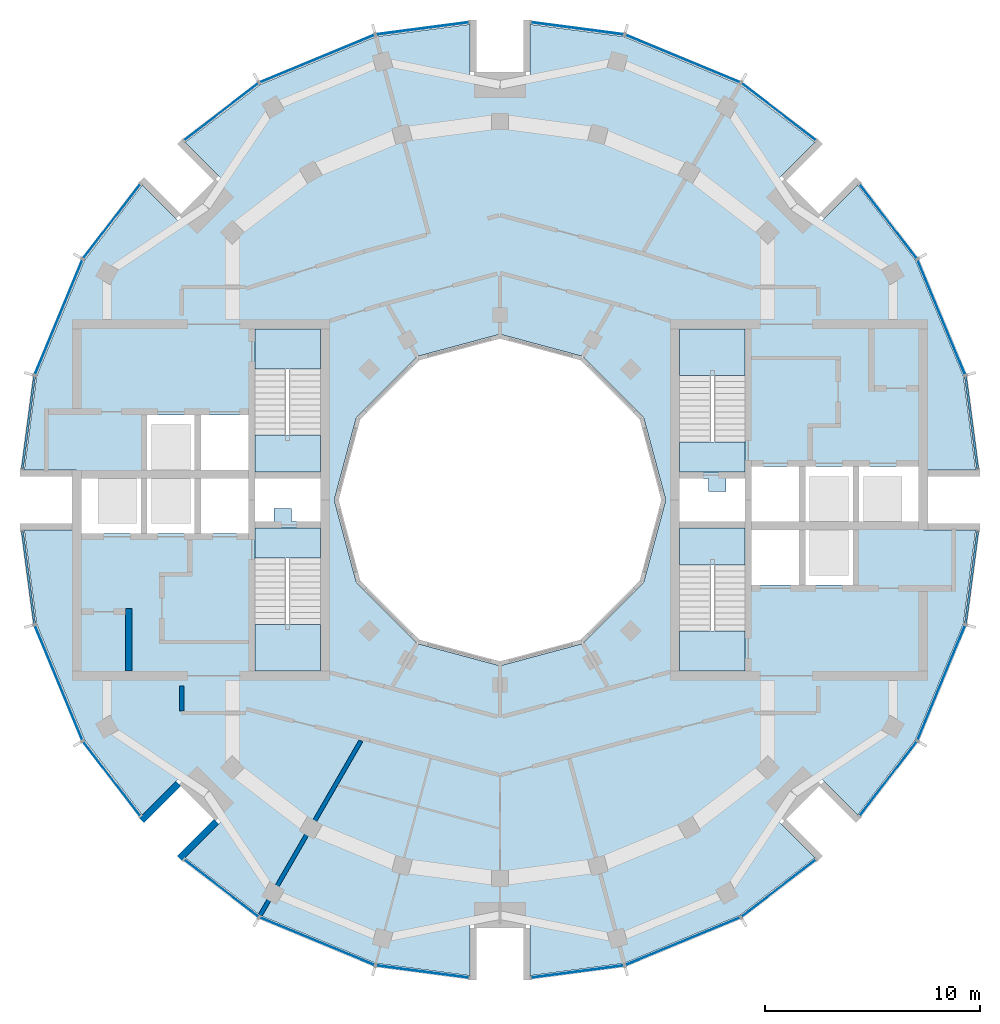
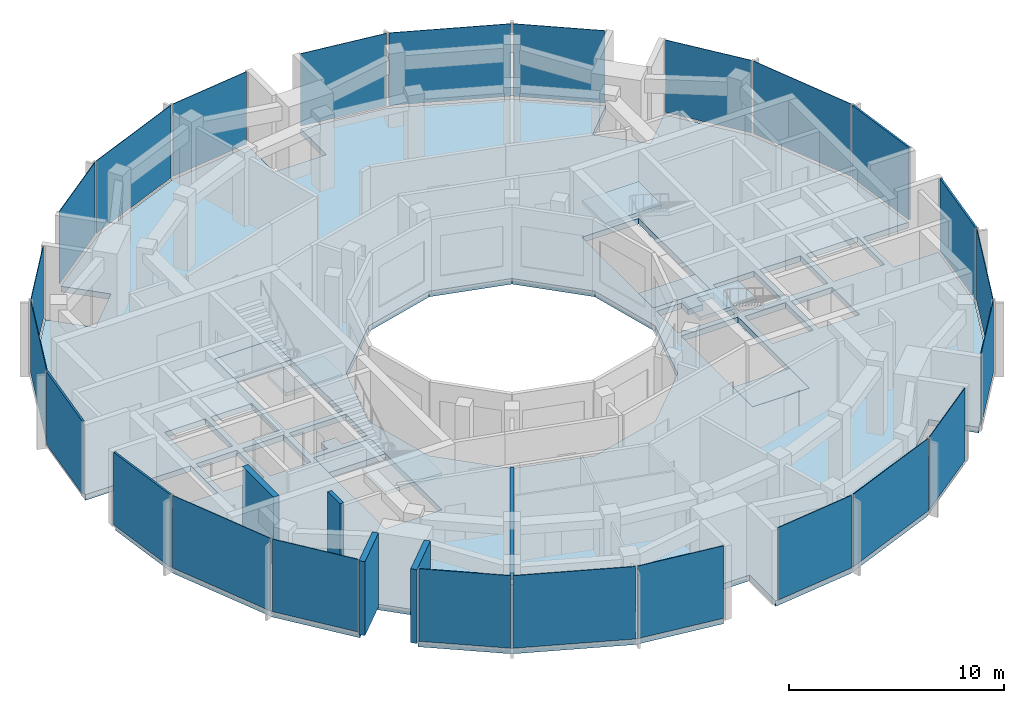
# One storey, part 7 of 13: 24 plates, 9 slabs, 5 walls, 28 elements without a shape of their own.
"""IFC4 building model written with IfcOpenShell, lengths in metres."""

import ifcopenshell
import ifcopenshell.guid

model = None  # the IFC model being written
_history = None  # IfcOwnerHistory: only IFC2X3 demands one
_inside = {}  # id of a spatial element -> (the spatial element, [elements in it])
_under = {}  # id of a project, library or spatial element -> (it, [spatial elements below it])
_declared = {}  # id of a project -> (the project, [libraries it declares])
_typed = {}  # id of a type object -> (the type object, [elements of that type])
_made_of = {}  # id of a material, layer set ... -> (it, [elements and type objects made of it])


def new_model(schema):
    """Start an empty IFC model of exactly this schema.

    Asked for "IFC4X3", IfcOpenShell would pick the latest addendum, in which some entities
    have other attributes; the version numbers below select the first issue.
    IFC2X3 requires an IfcOwnerHistory on every rooted entity: one is made here for all.
    """
    global model, _history
    if schema == "IFC4X3":
        model = ifcopenshell.file(schema_version=(4, 3, 0, 0))
    else:
        model = ifcopenshell.file(schema=schema)
    _inside.clear()
    _under.clear()
    _declared.clear()
    _typed.clear()
    _made_of.clear()
    _history = None
    if model.schema == "IFC2X3":
        org = make("IfcOrganization", Name="unknown")
        user = make(
            "IfcPersonAndOrganization",
            ThePerson=make("IfcPerson", FamilyName="unknown"),
            TheOrganization=org,
        )
        app = make(
            "IfcApplication",
            ApplicationDeveloper=org,
            Version="unknown",
            ApplicationFullName="unknown",
            ApplicationIdentifier="unknown",
        )
        _history = make(
            "IfcOwnerHistory",
            OwningUser=user,
            OwningApplication=app,
            ChangeAction="ADDED",
            CreationDate=0,
        )
    return model


def make(cls, **values):
    """One entity of the class cls with the attributes given. An attribute that is None is left unset."""
    return model.create_entity(
        cls, **{name: value for name, value in values.items() if value is not None}
    )


def rooted(cls, **values):
    """An entity with a GlobalId (a new one), such as an element, a storey or a relation."""
    return make(cls, GlobalId=ifcopenshell.guid.new(), OwnerHistory=_history, **values)


def si_unit(unit_type, name, prefix=None):
    """IfcSIUnit, for example si_unit("LENGTHUNIT", "METRE", prefix="MILLI")."""
    return make("IfcSIUnit", UnitType=unit_type, Prefix=prefix, Name=name)


def assignment(units):
    """IfcUnitAssignment: the units of a project."""
    return None if units is None else make("IfcUnitAssignment", Units=units)


def point(xyz):
    """IfcCartesianPoint."""
    return None if xyz is None else make("IfcCartesianPoint", Coordinates=xyz)


def direction(xyz):
    """IfcDirection."""
    return None if xyz is None else make("IfcDirection", DirectionRatios=xyz)


def frame(location, z_axis=None, x_axis=None):
    """IfcAxis2Placement3D, a coordinate frame: its origin and axes. An axis left out is left unset."""
    return make(
        "IfcAxis2Placement3D",
        Location=point(location),
        Axis=direction(z_axis),
        RefDirection=direction(x_axis),
    )


def frame_2d(location, x_axis=None):
    """IfcAxis2Placement2D, a coordinate frame in the plane: its origin and x axis."""
    return make(
        "IfcAxis2Placement2D", Location=point(location), RefDirection=direction(x_axis)
    )


def origin():
    """The frame at (0, 0, 0) with its axes left unset."""
    return frame((0.0, 0.0, 0.0))


def origin_2d():
    """The frame at (0, 0) in the plane with its x axis left unset."""
    return frame_2d((0.0, 0.0))


def place(relative_to, where):
    """IfcLocalPlacement: puts the frame where relative to a parent placement (None: the world)."""
    return make(
        "IfcLocalPlacement", PlacementRelTo=relative_to, RelativePlacement=where
    )


def context(
    kind, dimensions, precision=None, world=None, true_north=None, identifier=None
):
    """IfcGeometricRepresentationContext, for example the 3D "Model" context."""
    return make(
        "IfcGeometricRepresentationContext",
        ContextIdentifier=identifier,
        ContextType=kind,
        CoordinateSpaceDimension=dimensions,
        Precision=precision,
        WorldCoordinateSystem=world,
        TrueNorth=true_north,
    )


def subcontext(parent, identifier, kind, view, scale=None):
    """IfcGeometricRepresentationSubContext, for example "Body" below "Model"."""
    return make(
        "IfcGeometricRepresentationSubContext",
        ContextIdentifier=identifier,
        ContextType=kind,
        ParentContext=parent,
        TargetScale=scale,
        TargetView=view,
    )


def project(units=None, contexts=None):
    """IfcProject with its units and contexts."""
    return rooted(
        "IfcProject",
        Name="project",
        RepresentationContexts=contexts,
        UnitsInContext=assignment(units),
    )


def spatial(cls, under=None, at=None, **own):
    """A site, building, storey or space (cls), placed at a placement, below another one or the project."""
    s = rooted(cls, ObjectPlacement=at, **own)
    if under is not None:
        _under.setdefault(under.id(), (under, []))[1].append(s)
    return s


def polyline(points):
    """IfcPolyline through the points."""
    return make("IfcPolyline", Points=[point(p) for p in points])


def profile(cls, at=None, kind="AREA", **sizes):
    """A parametric profile (cls). Its sizes go by their IFC names, for example OverallWidth=200.0."""
    return make(cls, ProfileType=kind, Position=at, **sizes)


def rectangle(**sizes):
    """IfcRectangleProfileDef."""
    return profile("IfcRectangleProfileDef", **sizes)


def outline(outer, holes=None, kind="AREA"):
    """IfcArbitraryClosedProfileDef: a profile drawn as a closed curve; with holes, ...WithVoids."""
    if holes is None:
        return make("IfcArbitraryClosedProfileDef", ProfileType=kind, OuterCurve=outer)
    return make(
        "IfcArbitraryProfileDefWithVoids",
        ProfileType=kind,
        OuterCurve=outer,
        InnerCurves=holes,
    )


def extrude(swept, where, along, depth):
    """IfcExtrudedAreaSolid: the profile swept, set in the frame where, extruded along a direction by depth."""
    return make(
        "IfcExtrudedAreaSolid",
        SweptArea=swept,
        Position=where,
        ExtrudedDirection=direction(along),
        Depth=depth,
    )


def shape(context_of_items, identifier, shape_type, items):
    """IfcShapeRepresentation: the items that make up one representation, for example the "Body"."""
    return make(
        "IfcShapeRepresentation",
        ContextOfItems=context_of_items,
        RepresentationIdentifier=identifier,
        RepresentationType=shape_type,
        Items=items,
    )


def material(Name=None, Category=None):
    """IfcMaterial."""
    return make("IfcMaterial", Name=Name, Category=Category)


def layer(
    of_material, thickness, ventilated=None, Name=None, Category=None, Priority=None
):
    """IfcMaterialLayer: one layer of a wall or slab, of a material (None: an air gap)."""
    return make(
        "IfcMaterialLayer",
        Material=of_material,
        LayerThickness=thickness,
        IsVentilated=ventilated,
        Name=Name,
        Category=Category,
        Priority=Priority,
    )


def layer_set(layers, Name=None):
    """IfcMaterialLayerSet."""
    return make("IfcMaterialLayerSet", MaterialLayers=layers, LayerSetName=Name)


def made_of(thing, what):
    """Note that an element or type object is made of a material, layer set ...; save() writes the relation."""
    if what is not None:
        _made_of.setdefault(what.id(), (what, []))[1].append(thing)
    return thing


def type_object(cls, material=None, **own):
    """A type object (cls), such as IfcWallType, which elements share."""
    return made_of(rooted(cls, **own), material)


def element(
    cls,
    number,
    at=None,
    inside=None,
    cuts=None,
    type_object=None,
    material=None,
    context=None,
    identifier="Body",
    shape_type=None,
    held_by="IfcProductDefinitionShape",
    body=None,
    shapes=None,
    **own,
):
    """One element of the class cls, such as IfcWall. Its Tag is "e" and its number.

    at: its placement. inside: the storey or other place that contains it. cuts: it is an
    opening in that element (IfcRelVoidsElement). A single representation is given by context,
    identifier, shape_type and body (its items); several are given by shapes. held_by: the class
    of the entity that holds the representations. save() writes the other relations.
    """
    e = rooted(cls, Tag="e%d" % number, ObjectPlacement=at, **own)
    if body is not None:
        shapes = [shape(context, identifier, shape_type, body)]
    if shapes is not None:
        e.Representation = make(held_by, Representations=shapes)
    if inside is not None:
        _inside.setdefault(inside.id(), (inside, []))[1].append(e)
    if cuts is not None:
        rooted(
            "IfcRelVoidsElement", RelatingBuildingElement=cuts, RelatedOpeningElement=e
        )
    if type_object is not None:
        _typed.setdefault(type_object.id(), (type_object, []))[1].append(e)
    return made_of(e, material)


def aggregate(whole, parts):
    """IfcRelAggregates: a whole, such as a stair, and the parts it consists of."""
    return rooted("IfcRelAggregates", RelatingObject=whole, RelatedObjects=parts)


def save(model, path):
    """Write the relations noted so far, then the file.

    IfcRelAggregates (storeys below a building ...), IfcRelContainedInSpatialStructure (elements
    in a storey), IfcRelDefinesByType, IfcRelAssociatesMaterial and IfcRelDeclares: one each for
    every whole, place, type object, material and project.
    """
    for whole, parts in _under.values():
        aggregate(whole, parts)
    for where, things in _inside.values():
        rooted(
            "IfcRelContainedInSpatialStructure",
            RelatedElements=things,
            RelatingStructure=where,
        )
    for kind, things in _typed.values():
        rooted("IfcRelDefinesByType", RelatedObjects=things, RelatingType=kind)
    for what, things in _made_of.values():
        rooted("IfcRelAssociatesMaterial", RelatedObjects=things, RelatingMaterial=what)
    for by, libraries in _declared.values():
        rooted("IfcRelDeclares", RelatingContext=by, RelatedDefinitions=libraries)
    model.write(path)


model = new_model("IFC4")

# Units and contexts
model_context = context("Model", 3, precision=1e-05, world=origin(), true_north=direction((0.0, 1.0)))
body_context = subcontext(model_context, "Body", "Model", "MODEL_VIEW")
ifc_project = project(units=[si_unit("LENGTHUNIT", "METRE"), si_unit("AREAUNIT", "SQUARE_METRE"), si_unit("VOLUMEUNIT", "CUBIC_METRE"), si_unit("PLANEANGLEUNIT", "RADIAN"), si_unit("MASSUNIT", "GRAM", prefix="KILO")], contexts=[model_context])

# Site, building, storey
site_placement = place(None, origin())
site = spatial("IfcSite", under=ifc_project, at=site_placement, CompositionType="ELEMENT")
building_placement = place(site_placement, origin())
building = spatial("IfcBuilding", under=site, at=building_placement, Name="Torre Brocal", CompositionType="ELEMENT")
storey_placement = place(building_placement, frame((0.0, 0.0, 300.89990234375)))
storey = spatial("IfcBuildingStorey", under=building, at=storey_placement, Name="L69", CompositionType="ELEMENT", Elevation=300.89990234375)

# Curtain wall, plate
ifc_material_1 = material(Name="Aluminium and glass", Category="aluminium")
ifc_layer_1 = layer(ifc_material_1, 0.199951171875)
ifc_layer_set_1 = layer_set([ifc_layer_1], Name="Aluminium and glass")
curtain_wall_type_1 = type_object("IfcCurtainWallType", Name="CW-1 CURTAIN WALL 4200 HIGH", PredefinedType="NOTDEFINED", material=ifc_layer_set_1)
curtain_wall_1_placement = place(storey_placement, origin())
curtain_wall_1 = element("IfcCurtainWall", 1, at=curtain_wall_1_placement, inside=storey, type_object=curtain_wall_type_1, Name="CW-1 RUN 2", PredefinedType="NOTDEFINED")
ifc_material_2 = material(Name="Glass, dark tinted laminated", Category="glass")
ifc_layer_2 = layer(ifc_material_2, 0.031982421875)
ifc_layer_set_2 = layer_set([ifc_layer_2], Name="Glass, dark tinted laminated")
plate_type_1 = type_object("IfcPlateType", Name="CW-1 GLASS PANEL 32", PredefinedType="CURTAIN_PANEL", material=ifc_layer_set_2)
plate_1_placement = place(storey_placement, frame((100.51708984375, 83.49853515625, 0.080078125), z_axis=(0.0, 0.0, 1.0), x_axis=(-0.382683432284, 0.923879532545, 0.0)))
plate_1 = element("IfcPlate", 2, at=plate_1_placement, type_object=plate_type_1, Name="CW1-5 panel 1.1", PredefinedType="CURTAIN_PANEL", context=body_context, shape_type="SweptSolid", body=[
    extrude(rectangle(XDim=5.727294921875, YDim=0.031982421875, at=origin_2d()), origin(), (0.0, 0.0, 1.0), 4.1201171875),
])
aggregate(curtain_wall_1, [plate_1])

curtain_wall_2_placement = place(storey_placement, origin())
curtain_wall_2 = element("IfcCurtainWall", 3, at=curtain_wall_2_placement, inside=storey, type_object=curtain_wall_type_1, Name="CW-1 RUN 3", PredefinedType="NOTDEFINED")
plate_2_placement = place(storey_placement, frame((98.048095703125, 87.958984375, 0.080078125), z_axis=(0.0, 0.0, 1.0), x_axis=(-0.608761429064, 0.793353340249, 0.0)))
plate_2 = element("IfcPlate", 4, at=plate_2_placement, type_object=plate_type_1, Name="CW1-5 panel 1.1", PredefinedType="CURTAIN_PANEL", context=body_context, shape_type="SweptSolid", body=[
    extrude(rectangle(XDim=4.315185546875, YDim=0.031982421875, at=origin_2d()), origin(), (0.0, 0.0, 1.0), 4.1201171875),
])
aggregate(curtain_wall_2, [plate_2])

curtain_wall_3_placement = place(storey_placement, origin())
curtain_wall_3 = element("IfcCurtainWall", 5, at=curtain_wall_3_placement, inside=storey, type_object=curtain_wall_type_1, Name="CW-1 RUN 4", PredefinedType="NOTDEFINED")
plate_3_placement = place(storey_placement, frame((92.958984375, 93.048095703125, 0.080078125), z_axis=(0.0, 0.0, 1.0), x_axis=(-0.793353340249, 0.608761429064, 0.0)))
plate_3 = element("IfcPlate", 6, at=plate_3_placement, type_object=plate_type_1, Name="CW1-5 panel 1.1", PredefinedType="CURTAIN_PANEL", context=body_context, shape_type="SweptSolid", body=[
    extrude(rectangle(XDim=4.315185546875, YDim=0.031982421875, at=origin_2d()), origin(), (0.0, 0.0, 1.0), 4.1201171875),
])
aggregate(curtain_wall_3, [plate_3])

curtain_wall_4_placement = place(storey_placement, origin())
curtain_wall_4 = element("IfcCurtainWall", 7, at=curtain_wall_4_placement, inside=storey, type_object=curtain_wall_type_1, Name="CW-1 RUN 5", PredefinedType="NOTDEFINED")
plate_4_placement = place(storey_placement, frame((88.49853515625, 95.51708984375, 0.080078125), z_axis=(0.0, 0.0, 1.0), x_axis=(-0.923879532545, 0.382683432284, 0.0)))
plate_4 = element("IfcPlate", 8, at=plate_4_placement, type_object=plate_type_1, Name="CW1-5 panel 1.1", PredefinedType="CURTAIN_PANEL", context=body_context, shape_type="SweptSolid", body=[
    extrude(rectangle(XDim=5.727294921875, YDim=0.031982421875, at=origin_2d()), origin(), (0.0, 0.0, 1.0), 4.1201171875),
])
aggregate(curtain_wall_4, [plate_4])

curtain_wall_5_placement = place(storey_placement, origin())
curtain_wall_5 = element("IfcCurtainWall", 9, at=curtain_wall_5_placement, inside=storey, type_object=curtain_wall_type_1, Name="CW-1 RUN 6", PredefinedType="NOTDEFINED")
plate_5_placement = place(storey_placement, frame((83.5986328125, 96.92529296875, 0.080078125), z_axis=(0.0, 0.0, 1.0), x_axis=(-0.991444861374, 0.13052619222, 0.0)))
plate_5 = element("IfcPlate", 10, at=plate_5_placement, type_object=plate_type_1, Name="CW1-5 panel 1.1", PredefinedType="CURTAIN_PANEL", context=body_context, shape_type="SweptSolid", body=[
    extrude(rectangle(XDim=4.315185546875, YDim=0.031982421875, at=origin_2d()), origin(), (0.0, 0.0, 1.0), 4.1201171875),
])
aggregate(curtain_wall_5, [plate_5])

curtain_wall_6_placement = place(storey_placement, origin())
curtain_wall_6 = element("IfcCurtainWall", 11, at=curtain_wall_6_placement, inside=storey, type_object=curtain_wall_type_1, Name="CW-1 RUN 7", PredefinedType="NOTDEFINED")
plate_6_placement = place(storey_placement, frame((76.4013671875, 96.92529296875, 0.080078125), z_axis=(0.0, 0.0, 1.0), x_axis=(-0.991444861374, -0.13052619222, 0.0)))
plate_6 = element("IfcPlate", 12, at=plate_6_placement, type_object=plate_type_1, Name="CW1-5 panel 1.1", PredefinedType="CURTAIN_PANEL", context=body_context, shape_type="SweptSolid", body=[
    extrude(rectangle(XDim=4.315185546875, YDim=0.031982421875, at=origin_2d()), origin(), (0.0, 0.0, 1.0), 4.1201171875),
])
aggregate(curtain_wall_6, [plate_6])

curtain_wall_7_placement = place(storey_placement, origin())
curtain_wall_7 = element("IfcCurtainWall", 13, at=curtain_wall_7_placement, inside=storey, type_object=curtain_wall_type_1, Name="CW-1 RUN 8", PredefinedType="NOTDEFINED")
plate_7_placement = place(storey_placement, frame((71.50146484375, 95.51708984375, 0.080078125), z_axis=(0.0, 0.0, 1.0), x_axis=(-0.923879532545, -0.382683432284, 0.0)))
plate_7 = element("IfcPlate", 14, at=plate_7_placement, type_object=plate_type_1, Name="CW1-5 panel 1.1", PredefinedType="CURTAIN_PANEL", context=body_context, shape_type="SweptSolid", body=[
    extrude(rectangle(XDim=5.727294921875, YDim=0.031982421875, at=origin_2d()), origin(), (0.0, 0.0, 1.0), 4.1201171875),
])
aggregate(curtain_wall_7, [plate_7])

curtain_wall_8_placement = place(storey_placement, origin())
curtain_wall_8 = element("IfcCurtainWall", 15, at=curtain_wall_8_placement, inside=storey, type_object=curtain_wall_type_1, Name="CW-1 RUN 9", PredefinedType="NOTDEFINED")
plate_8_placement = place(storey_placement, frame((67.041015625, 93.048095703125, 0.080078125), z_axis=(0.0, 0.0, 1.0), x_axis=(-0.793353340249, -0.608761429064, 0.0)))
plate_8 = element("IfcPlate", 16, at=plate_8_placement, type_object=plate_type_1, Name="CW1-5 panel 1.1", PredefinedType="CURTAIN_PANEL", context=body_context, shape_type="SweptSolid", body=[
    extrude(rectangle(XDim=4.315185546875, YDim=0.031982421875, at=origin_2d()), origin(), (0.0, 0.0, 1.0), 4.1201171875),
])
aggregate(curtain_wall_8, [plate_8])

curtain_wall_9_placement = place(storey_placement, origin())
curtain_wall_9 = element("IfcCurtainWall", 17, at=curtain_wall_9_placement, inside=storey, type_object=curtain_wall_type_1, Name="CW-1 RUN 10", PredefinedType="NOTDEFINED")
plate_9_placement = place(storey_placement, frame((61.951904296875, 87.958984375, 0.080078125), z_axis=(0.0, 0.0, 1.0), x_axis=(-0.608761429064, -0.793353340249, 0.0)))
plate_9 = element("IfcPlate", 18, at=plate_9_placement, type_object=plate_type_1, Name="CW1-5 panel 1.1", PredefinedType="CURTAIN_PANEL", context=body_context, shape_type="SweptSolid", body=[
    extrude(rectangle(XDim=4.315185546875, YDim=0.031982421875, at=origin_2d()), origin(), (0.0, 0.0, 1.0), 4.1201171875),
])
aggregate(curtain_wall_9, [plate_9])

curtain_wall_10_placement = place(storey_placement, origin())
curtain_wall_10 = element("IfcCurtainWall", 19, at=curtain_wall_10_placement, inside=storey, type_object=curtain_wall_type_1, Name="CW-1 RUN 11", PredefinedType="NOTDEFINED")
plate_10_placement = place(storey_placement, frame((59.48291015625, 83.49853515625, 0.080078125), z_axis=(0.0, 0.0, 1.0), x_axis=(-0.382683432284, -0.923879532545, 0.0)))
plate_10 = element("IfcPlate", 20, at=plate_10_placement, type_object=plate_type_1, Name="CW1-5 panel 1.1", PredefinedType="CURTAIN_PANEL", context=body_context, shape_type="SweptSolid", body=[
    extrude(rectangle(XDim=5.727294921875, YDim=0.031982421875, at=origin_2d()), origin(), (0.0, 0.0, 1.0), 4.1201171875),
])
aggregate(curtain_wall_10, [plate_10])

curtain_wall_11_placement = place(storey_placement, origin())
curtain_wall_11 = element("IfcCurtainWall", 21, at=curtain_wall_11_placement, inside=storey, type_object=curtain_wall_type_1, Name="CW-1 RUN 14", PredefinedType="NOTDEFINED")
plate_11_placement = place(storey_placement, frame((59.48291015625, 66.50146484375, 0.080078125), z_axis=(0.0, 0.0, 1.0), x_axis=(0.382683432284, -0.923879532545, 0.0)))
plate_11 = element("IfcPlate", 22, at=plate_11_placement, type_object=plate_type_1, Name="CW1-5 panel 1.1", PredefinedType="CURTAIN_PANEL", context=body_context, shape_type="SweptSolid", body=[
    extrude(rectangle(XDim=5.727294921875, YDim=0.031982421875, at=origin_2d()), origin(), (0.0, 0.0, 1.0), 4.1201171875),
])
aggregate(curtain_wall_11, [plate_11])

curtain_wall_12_placement = place(storey_placement, origin())
curtain_wall_12 = element("IfcCurtainWall", 23, at=curtain_wall_12_placement, inside=storey, type_object=curtain_wall_type_1, Name="CW-1 RUN 15", PredefinedType="NOTDEFINED")
plate_12_placement = place(storey_placement, frame((61.951904296875, 62.041015625, 0.080078125), z_axis=(0.0, 0.0, 1.0), x_axis=(0.608761429064, -0.793353340249, 0.0)))
plate_12 = element("IfcPlate", 24, at=plate_12_placement, type_object=plate_type_1, Name="CW1-5 panel 1.1", PredefinedType="CURTAIN_PANEL", context=body_context, shape_type="SweptSolid", body=[
    extrude(rectangle(XDim=4.315185546875, YDim=0.031982421875, at=origin_2d()), origin(), (0.0, 0.0, 1.0), 4.1201171875),
])
aggregate(curtain_wall_12, [plate_12])

curtain_wall_13_placement = place(storey_placement, origin())
curtain_wall_13 = element("IfcCurtainWall", 25, at=curtain_wall_13_placement, inside=storey, type_object=curtain_wall_type_1, Name="CW-1 RUN 16", PredefinedType="NOTDEFINED")
plate_13_placement = place(storey_placement, frame((67.041015625, 56.951904296875, 0.080078125), z_axis=(0.0, 0.0, 1.0), x_axis=(0.793353340249, -0.608761429064, 0.0)))
plate_13 = element("IfcPlate", 26, at=plate_13_placement, type_object=plate_type_1, Name="CW1-5 panel 1.1", PredefinedType="CURTAIN_PANEL", context=body_context, shape_type="SweptSolid", body=[
    extrude(rectangle(XDim=4.315185546875, YDim=0.031982421875, at=origin_2d()), origin(), (0.0, 0.0, 1.0), 4.1201171875),
])
aggregate(curtain_wall_13, [plate_13])

curtain_wall_14_placement = place(storey_placement, origin())
curtain_wall_14 = element("IfcCurtainWall", 27, at=curtain_wall_14_placement, inside=storey, type_object=curtain_wall_type_1, Name="CW-1 RUN 17", PredefinedType="NOTDEFINED")
plate_14_placement = place(storey_placement, frame((71.50146484375, 54.48291015625, 0.080078125), z_axis=(0.0, 0.0, 1.0), x_axis=(0.923879532545, -0.382683432284, 0.0)))
plate_14 = element("IfcPlate", 28, at=plate_14_placement, type_object=plate_type_1, Name="CW1-5 panel 1.1", PredefinedType="CURTAIN_PANEL", context=body_context, shape_type="SweptSolid", body=[
    extrude(rectangle(XDim=5.727294921875, YDim=0.031982421875, at=origin_2d()), origin(), (0.0, 0.0, 1.0), 4.1201171875),
])
aggregate(curtain_wall_14, [plate_14])

curtain_wall_15_placement = place(storey_placement, origin())
curtain_wall_15 = element("IfcCurtainWall", 29, at=curtain_wall_15_placement, inside=storey, type_object=curtain_wall_type_1, Name="CW-1 RUN 18", PredefinedType="NOTDEFINED")
plate_15_placement = place(storey_placement, frame((76.4013671875, 53.07470703125, 0.080078125), z_axis=(0.0, 0.0, 1.0), x_axis=(0.991444861374, -0.13052619222, 0.0)))
plate_15 = element("IfcPlate", 30, at=plate_15_placement, type_object=plate_type_1, Name="CW1-5 panel 1.1", PredefinedType="CURTAIN_PANEL", context=body_context, shape_type="SweptSolid", body=[
    extrude(rectangle(XDim=4.315185546875, YDim=0.031982421875, at=origin_2d()), origin(), (0.0, 0.0, 1.0), 4.1201171875),
])
aggregate(curtain_wall_15, [plate_15])

curtain_wall_16_placement = place(storey_placement, origin())
curtain_wall_16 = element("IfcCurtainWall", 31, at=curtain_wall_16_placement, inside=storey, type_object=curtain_wall_type_1, Name="CW-1 RUN 19", PredefinedType="NOTDEFINED")
plate_16_placement = place(storey_placement, frame((83.5986328125, 53.07470703125, 0.080078125), z_axis=(0.0, 0.0, 1.0), x_axis=(0.991444861374, 0.13052619222, 0.0)))
plate_16 = element("IfcPlate", 32, at=plate_16_placement, type_object=plate_type_1, Name="CW1-5 panel 1.1", PredefinedType="CURTAIN_PANEL", context=body_context, shape_type="SweptSolid", body=[
    extrude(rectangle(XDim=4.315185546875, YDim=0.031982421875, at=origin_2d()), origin(), (0.0, 0.0, 1.0), 4.1201171875),
])
aggregate(curtain_wall_16, [plate_16])

curtain_wall_17_placement = place(storey_placement, origin())
curtain_wall_17 = element("IfcCurtainWall", 33, at=curtain_wall_17_placement, inside=storey, type_object=curtain_wall_type_1, Name="CW-1 RUN 20", PredefinedType="NOTDEFINED")
plate_17_placement = place(storey_placement, frame((88.49853515625, 54.48291015625, 0.080078125), z_axis=(0.0, 0.0, 1.0), x_axis=(0.923879532545, 0.382683432284, 0.0)))
plate_17 = element("IfcPlate", 34, at=plate_17_placement, type_object=plate_type_1, Name="CW1-5 panel 1.1", PredefinedType="CURTAIN_PANEL", context=body_context, shape_type="SweptSolid", body=[
    extrude(rectangle(XDim=5.727294921875, YDim=0.031982421875, at=origin_2d()), origin(), (0.0, 0.0, 1.0), 4.1201171875),
])
aggregate(curtain_wall_17, [plate_17])

curtain_wall_18_placement = place(storey_placement, origin())
curtain_wall_18 = element("IfcCurtainWall", 35, at=curtain_wall_18_placement, inside=storey, type_object=curtain_wall_type_1, Name="CW-1 RUN 21", PredefinedType="NOTDEFINED")
plate_18_placement = place(storey_placement, frame((92.958984375, 56.951904296875, 0.080078125), z_axis=(0.0, 0.0, 1.0), x_axis=(0.793353340249, 0.608761429064, 0.0)))
plate_18 = element("IfcPlate", 36, at=plate_18_placement, type_object=plate_type_1, Name="CW1-5 panel 1.1", PredefinedType="CURTAIN_PANEL", context=body_context, shape_type="SweptSolid", body=[
    extrude(rectangle(XDim=4.315185546875, YDim=0.031982421875, at=origin_2d()), origin(), (0.0, 0.0, 1.0), 4.1201171875),
])
aggregate(curtain_wall_18, [plate_18])

curtain_wall_19_placement = place(storey_placement, origin())
curtain_wall_19 = element("IfcCurtainWall", 37, at=curtain_wall_19_placement, inside=storey, type_object=curtain_wall_type_1, Name="CW-1 RUN 22", PredefinedType="NOTDEFINED")
plate_19_placement = place(storey_placement, frame((98.048095703125, 62.041015625, 0.080078125), z_axis=(0.0, 0.0, 1.0), x_axis=(0.608761429064, 0.793353340249, 0.0)))
plate_19 = element("IfcPlate", 38, at=plate_19_placement, type_object=plate_type_1, Name="CW1-5 panel 1.1", PredefinedType="CURTAIN_PANEL", context=body_context, shape_type="SweptSolid", body=[
    extrude(rectangle(XDim=4.315185546875, YDim=0.031982421875, at=origin_2d()), origin(), (0.0, 0.0, 1.0), 4.1201171875),
])
aggregate(curtain_wall_19, [plate_19])

curtain_wall_20_placement = place(storey_placement, origin())
curtain_wall_20 = element("IfcCurtainWall", 39, at=curtain_wall_20_placement, inside=storey, type_object=curtain_wall_type_1, Name="CW-1 RUN 23", PredefinedType="NOTDEFINED")
plate_20_placement = place(storey_placement, frame((100.51708984375, 66.50146484375, 0.080078125), z_axis=(0.0, 0.0, 1.0), x_axis=(0.382683432284, 0.923879532545, 0.0)))
plate_20 = element("IfcPlate", 40, at=plate_20_placement, type_object=plate_type_1, Name="CW1-5 panel 1.1", PredefinedType="CURTAIN_PANEL", context=body_context, shape_type="SweptSolid", body=[
    extrude(rectangle(XDim=5.727294921875, YDim=0.031982421875, at=origin_2d()), origin(), (0.0, 0.0, 1.0), 4.1201171875),
])
aggregate(curtain_wall_20, [plate_20])

ifc_material_3 = material(Name="Aluminium and glass", Category="aluminium")
ifc_layer_3 = layer(ifc_material_3, 0.199951171875)
ifc_layer_set_3 = layer_set([ifc_layer_3], Name="Aluminium and glass")
curtain_wall_type_2 = type_object("IfcCurtainWallType", Name="CW-1B CURTAIN WALL 4200 HIGH", PredefinedType="NOTDEFINED", material=ifc_layer_set_3)
curtain_wall_21_placement = place(storey_placement, origin())
curtain_wall_21 = element("IfcCurtainWall", 41, at=curtain_wall_21_placement, inside=storey, type_object=curtain_wall_type_2, Name="CW-1B RUN 1", PredefinedType="NOTDEFINED")
ifc_material_4 = material(Name="Aluminium composite panel", Category="aluminium")
ifc_layer_4 = layer(ifc_material_4, 0.10009765625)
ifc_layer_set_4 = layer_set([ifc_layer_4], Name="Aluminium composite panel")
plate_type_2 = type_object("IfcPlateType", Name="CW-1B OPAQUE PANEL 100", PredefinedType="CURTAIN_PANEL", material=ifc_layer_set_4)
plate_21_placement = place(storey_placement, frame((101.92529296875, 78.5986328125, 0.080078125), z_axis=(0.0, 0.0, 1.0), x_axis=(-0.13052619222, 0.991444861374, 0.0)))
plate_21 = element("IfcPlate", 42, at=plate_21_placement, type_object=plate_type_2, Name="CW1B-5 panel 1.1", PredefinedType="CURTAIN_PANEL", context=body_context, shape_type="SweptSolid", body=[
    extrude(rectangle(XDim=4.315185546875, YDim=0.10009765625, at=origin_2d()), origin(), (0.0, 0.0, 1.0), 4.1201171875),
])
aggregate(curtain_wall_21, [plate_21])

curtain_wall_22_placement = place(storey_placement, origin())
curtain_wall_22 = element("IfcCurtainWall", 43, at=curtain_wall_22_placement, inside=storey, type_object=curtain_wall_type_2, Name="CW-1B RUN 12", PredefinedType="NOTDEFINED")
plate_22_placement = place(storey_placement, frame((58.07470703125, 78.5986328125, 0.080078125), z_axis=(0.0, 0.0, 1.0), x_axis=(-0.13052619222, -0.991444861374, 0.0)))
plate_22 = element("IfcPlate", 44, at=plate_22_placement, type_object=plate_type_2, Name="CW1B-5 panel 1.1", PredefinedType="CURTAIN_PANEL", context=body_context, shape_type="SweptSolid", body=[
    extrude(rectangle(XDim=4.315185546875, YDim=0.10009765625, at=origin_2d()), origin(), (0.0, 0.0, 1.0), 4.1201171875),
])
aggregate(curtain_wall_22, [plate_22])

curtain_wall_23_placement = place(storey_placement, origin())
curtain_wall_23 = element("IfcCurtainWall", 45, at=curtain_wall_23_placement, inside=storey, type_object=curtain_wall_type_2, Name="CW-1B RUN 13", PredefinedType="NOTDEFINED")
plate_23_placement = place(storey_placement, frame((58.07470703125, 71.4013671875, 0.080078125), z_axis=(0.0, 0.0, 1.0), x_axis=(0.13052619222, -0.991444861374, 0.0)))
plate_23 = element("IfcPlate", 46, at=plate_23_placement, type_object=plate_type_2, Name="CW1B-5 panel 1.1", PredefinedType="CURTAIN_PANEL", context=body_context, shape_type="SweptSolid", body=[
    extrude(rectangle(XDim=4.315185546875, YDim=0.10009765625, at=origin_2d()), origin(), (0.0, 0.0, 1.0), 4.1201171875),
])
aggregate(curtain_wall_23, [plate_23])

curtain_wall_24_placement = place(storey_placement, origin())
curtain_wall_24 = element("IfcCurtainWall", 47, at=curtain_wall_24_placement, inside=storey, type_object=curtain_wall_type_2, Name="CW-1B RUN 24", PredefinedType="NOTDEFINED")
plate_24_placement = place(storey_placement, frame((101.92529296875, 71.4013671875, 0.080078125), z_axis=(0.0, 0.0, 1.0), x_axis=(0.13052619222, 0.991444861374, 0.0)))
plate_24 = element("IfcPlate", 48, at=plate_24_placement, type_object=plate_type_2, Name="CW1B-5 panel 1.1", PredefinedType="CURTAIN_PANEL", context=body_context, shape_type="SweptSolid", body=[
    extrude(rectangle(XDim=4.315185546875, YDim=0.10009765625, at=origin_2d()), origin(), (0.0, 0.0, 1.0), 4.1201171875),
])
aggregate(curtain_wall_24, [plate_24])

# Stair, slab
ifc_material_5 = material(Name="Concrete C50", Category="concrete")
stair_type = type_object("IfcStairType", Name="EXIT STAIR", PredefinedType="HALF_TURN_STAIR", material=ifc_material_5)
stair_1_placement = place(storey_placement, origin())
stair_1 = element("IfcStair", 49, at=stair_1_placement, inside=storey, type_object=stair_type, Name="EXIT STAIR ST1", PredefinedType="HALF_TURN_STAIR")
ifc_material_6 = material(Name="Concrete C50", Category="concrete")
ifc_layer_5 = layer(ifc_material_6, 0.320068359375)
ifc_layer_set_5 = layer_set([ifc_layer_5], Name="Concrete C50")
slab_type_1 = type_object("IfcSlabType", Name="FLOOR LANDING 320", PredefinedType="LANDING", material=ifc_layer_set_5)
slab_1_placement = place(storey_placement, frame((0.0, 0.0, -0.31982421875)))
slab_1 = element("IfcSlab", 50, at=slab_1_placement, type_object=slab_type_1, Name="ST1 landing 1", PredefinedType="LANDING", context=body_context, shape_type="SweptSolid", body=[
    extrude(outline(polyline([(88.35009765625, 76.300048828125), (91.39990234375, 76.300048828125), (91.39990234375, 77.699951171875), (88.35009765625, 77.699951171875), (88.35009765625, 76.300048828125)])), origin(), (0.0, 0.0, 1.0), 0.31982421875),
])

stair_2_placement = place(storey_placement, origin())
stair_2 = element("IfcStair", 51, at=stair_2_placement, inside=storey, type_object=stair_type, Name="EXIT STAIR ST2", PredefinedType="HALF_TURN_STAIR")
slab_2_placement = place(storey_placement, frame((0.0, 0.0, -0.31982421875)))
slab_2 = element("IfcSlab", 52, at=slab_2_placement, type_object=slab_type_1, Name="ST2 landing 1", PredefinedType="LANDING", context=body_context, shape_type="SweptSolid", body=[
    extrude(outline(polyline([(88.35009765625, 67.050048828125), (91.39990234375, 67.050048828125), (91.39990234375, 68.89990234375), (88.35009765625, 68.89990234375), (88.35009765625, 67.050048828125)])), origin(), (0.0, 0.0, 1.0), 0.31982421875),
])

stair_3_placement = place(storey_placement, origin())
stair_3 = element("IfcStair", 53, at=stair_3_placement, inside=storey, type_object=stair_type, Name="EXIT STAIR ST3", PredefinedType="HALF_TURN_STAIR")
slab_3_placement = place(storey_placement, frame((0.0, 0.0, -0.31982421875)))
slab_3 = element("IfcSlab", 54, at=slab_3_placement, type_object=slab_type_1, Name="ST3 landing 1", PredefinedType="LANDING", context=body_context, shape_type="SweptSolid", body=[
    extrude(outline(polyline([(71.64990234375, 73.699951171875), (68.60009765625, 73.699951171875), (68.60009765625, 72.300048828125), (71.64990234375, 72.300048828125), (71.64990234375, 73.699951171875)])), origin(), (0.0, 0.0, 1.0), 0.31982421875),
])

stair_4_placement = place(storey_placement, origin())
stair_4 = element("IfcStair", 55, at=stair_4_placement, inside=storey, type_object=stair_type, Name="EXIT STAIR ST4", PredefinedType="HALF_TURN_STAIR")
slab_4_placement = place(storey_placement, frame((0.0, 0.0, -0.31982421875)))
slab_4 = element("IfcSlab", 56, at=slab_4_placement, type_object=slab_type_1, Name="ST4 landing 1", PredefinedType="LANDING", context=body_context, shape_type="SweptSolid", body=[
    extrude(outline(polyline([(71.64990234375, 82.949951171875), (68.60009765625, 82.949951171875), (68.60009765625, 81.10009765625), (71.64990234375, 81.10009765625), (71.64990234375, 82.949951171875)])), origin(), (0.0, 0.0, 1.0), 0.31982421875),
])

# Slab
ifc_material_7 = material(Name="Concrete C50", Category="concrete")
ifc_layer_6 = layer(ifc_material_7, 0.199951171875)
ifc_layer_set_6 = layer_set([ifc_layer_6], Name="Concrete C50")
slab_type_2 = type_object("IfcSlabType", Name="MID LANDING +2100", PredefinedType="LANDING", material=ifc_layer_set_6)
slab_5_placement = place(storey_placement, frame((0.0, 0.0, 1.900146484375)))
slab_5 = element("IfcSlab", 57, at=slab_5_placement, type_object=slab_type_2, Name="ST1 landing 2", PredefinedType="LANDING", context=body_context, shape_type="SweptSolid", body=[
    extrude(outline(polyline([(88.35009765625, 80.780029296875), (91.39990234375, 80.780029296875), (91.39990234375, 82.949951171875), (88.35009765625, 82.949951171875), (88.35009765625, 80.780029296875)])), origin(), (0.0, 0.0, 1.0), 0.199951171875),
])

aggregate(stair_1, [slab_1, slab_5])

slab_6_placement = place(storey_placement, frame((0.0, 0.0, 1.900146484375)))
slab_6 = element("IfcSlab", 58, at=slab_6_placement, type_object=slab_type_2, Name="ST2 landing 2", PredefinedType="LANDING", context=body_context, shape_type="SweptSolid", body=[
    extrude(outline(polyline([(88.35009765625, 71.97998046875), (91.39990234375, 71.97998046875), (91.39990234375, 73.699951171875), (88.35009765625, 73.699951171875), (88.35009765625, 71.97998046875)])), origin(), (0.0, 0.0, 1.0), 0.199951171875),
])

aggregate(stair_2, [slab_2, slab_6])

slab_7_placement = place(storey_placement, frame((0.0, 0.0, 1.900146484375)))
slab_7 = element("IfcSlab", 59, at=slab_7_placement, type_object=slab_type_2, Name="ST3 landing 2", PredefinedType="LANDING", context=body_context, shape_type="SweptSolid", body=[
    extrude(outline(polyline([(71.64990234375, 69.219970703125), (68.60009765625, 69.219970703125), (68.60009765625, 67.050048828125), (71.64990234375, 67.050048828125), (71.64990234375, 69.219970703125)])), origin(), (0.0, 0.0, 1.0), 0.199951171875),
])

aggregate(stair_3, [slab_3, slab_7])

slab_8_placement = place(storey_placement, frame((0.0, 0.0, 1.900146484375)))
slab_8 = element("IfcSlab", 60, at=slab_8_placement, type_object=slab_type_2, Name="ST4 landing 2", PredefinedType="LANDING", context=body_context, shape_type="SweptSolid", body=[
    extrude(outline(polyline([(71.64990234375, 78.02001953125), (68.60009765625, 78.02001953125), (68.60009765625, 76.300048828125), (71.64990234375, 76.300048828125), (71.64990234375, 78.02001953125)])), origin(), (0.0, 0.0, 1.0), 0.199951171875),
])

aggregate(stair_4, [slab_4, slab_8])

ifc_material_8 = material(Name="Concrete C45", Category="concrete")
ifc_layer_7 = layer(ifc_material_8, 0.320068359375)
ifc_layer_set_7 = layer_set([ifc_layer_7], Name="Concrete C45")
slab_type_3 = type_object("IfcSlabType", Name="PT FLOOR SLAB 320 C45", PredefinedType="FLOOR", material=ifc_layer_set_7)
slab_9_placement = place(storey_placement, frame((0.0, 0.0, -0.31982421875)))
element("IfcSlab", 61, at=slab_9_placement, inside=storey, type_object=slab_type_3, Name="Slab ST-05", PredefinedType="FLOOR", context=body_context, shape_type="SweptSolid", body=[
    extrude(outline(polyline([(99.699951171875, 76.39990234375), (99.699951171875, 73.60009765625), (102.114013671875, 73.60009765625), (101.53857421875, 69.228759765625), (99.310791015625, 63.850830078125), (96.626953125, 60.35302734375), (94.919921875, 62.06005859375), (92.93994140625, 60.080078125), (94.64697265625, 58.373046875), (91.149169921875, 55.689208984375), (85.771240234375, 53.46142578125), (81.39990234375, 52.885986328125), (81.39990234375, 55.300048828125), (78.60009765625, 55.300048828125), (78.60009765625, 52.885986328125), (74.228759765625, 53.46142578125), (68.850830078125, 55.689208984375), (65.35302734375, 58.373046875), (67.06005859375, 60.080078125), (65.080078125, 62.06005859375), (63.373046875, 60.35302734375), (60.689208984375, 63.850830078125), (58.46142578125, 69.228759765625), (57.885986328125, 73.60009765625), (60.300048828125, 73.60009765625), (60.300048828125, 76.39990234375), (57.885986328125, 76.39990234375), (58.46142578125, 80.771240234375), (60.689208984375, 86.149169921875), (63.373046875, 89.64697265625), (65.080078125, 87.93994140625), (67.06005859375, 89.919921875), (65.35302734375, 91.626953125), (68.850830078125, 94.310791015625), (74.228759765625, 96.53857421875), (78.60009765625, 97.114013671875), (78.60009765625, 94.699951171875), (81.39990234375, 94.699951171875), (81.39990234375, 97.114013671875), (85.771240234375, 96.53857421875), (91.149169921875, 94.310791015625), (94.64697265625, 91.626953125), (92.93994140625, 89.919921875), (94.919921875, 87.93994140625), (96.626953125, 89.64697265625), (99.310791015625, 86.149169921875), (101.53857421875, 80.771240234375), (102.114013671875, 76.39990234375), (99.699951171875, 76.39990234375)]), holes=[polyline([(99.449951171875, 76.550048828125), (96.699951171875, 76.550048828125), (96.699951171875, 74.0), (99.449951171875, 74.0), (99.449951171875, 76.550048828125)]), polyline([(96.39990234375, 76.550048828125), (94.199951171875, 76.550048828125), (94.199951171875, 74.0), (96.39990234375, 74.0), (96.39990234375, 76.550048828125)]), polyline([(96.39990234375, 73.60009765625), (94.199951171875, 73.60009765625), (94.199951171875, 71.050048828125), (96.39990234375, 71.050048828125), (96.39990234375, 73.60009765625)]), polyline([(93.89990234375, 76.550048828125), (91.699951171875, 76.550048828125), (91.699951171875, 74.0), (93.89990234375, 74.0), (93.89990234375, 76.550048828125)]), polyline([(93.89990234375, 73.60009765625), (91.699951171875, 73.60009765625), (91.699951171875, 71.050048828125), (93.89990234375, 71.050048828125), (93.89990234375, 73.60009765625)]), polyline([(89.699951171875, 76.0), (88.35009765625, 76.0), (88.35009765625, 74.0), (91.39990234375, 74.0), (91.39990234375, 76.0), (90.5, 76.0), (90.5, 75.39990234375), (89.699951171875, 75.39990234375), (89.699951171875, 76.0)]), polyline([(91.39990234375, 82.949951171875), (88.35009765625, 82.949951171875), (88.35009765625, 76.300048828125), (91.39990234375, 76.300048828125), (91.39990234375, 82.949951171875)]), polyline([(91.39990234375, 73.699951171875), (88.35009765625, 73.699951171875), (88.35009765625, 67.050048828125), (91.39990234375, 67.050048828125), (91.39990234375, 73.699951171875)]), polyline([(80.0, 82.70703125), (76.146484375, 81.674560546875), (73.325439453125, 78.853515625), (72.29296875, 75.0), (73.325439453125, 71.146484375), (76.146484375, 68.325439453125), (80.0, 67.29296875), (83.853515625, 68.325439453125), (86.674560546875, 71.146484375), (87.70703125, 75.0), (86.674560546875, 78.853515625), (83.853515625, 81.674560546875), (80.0, 82.70703125)]), polyline([(70.300048828125, 74.0), (71.64990234375, 74.0), (71.64990234375, 76.0), (68.60009765625, 76.0), (68.60009765625, 74.0), (69.5, 74.0), (69.5, 74.60009765625), (70.300048828125, 74.60009765625), (70.300048828125, 74.0)]), polyline([(68.60009765625, 76.300048828125), (71.64990234375, 76.300048828125), (71.64990234375, 82.949951171875), (68.60009765625, 82.949951171875), (68.60009765625, 76.300048828125)]), polyline([(68.60009765625, 67.050048828125), (71.64990234375, 67.050048828125), (71.64990234375, 73.699951171875), (68.60009765625, 73.699951171875), (68.60009765625, 67.050048828125)]), polyline([(66.10009765625, 76.39990234375), (68.300048828125, 76.39990234375), (68.300048828125, 78.949951171875), (66.10009765625, 78.949951171875), (66.10009765625, 76.39990234375)]), polyline([(66.10009765625, 73.449951171875), (68.300048828125, 73.449951171875), (68.300048828125, 76.0), (66.10009765625, 76.0), (66.10009765625, 73.449951171875)]), polyline([(63.60009765625, 76.39990234375), (65.800048828125, 76.39990234375), (65.800048828125, 78.949951171875), (63.60009765625, 78.949951171875), (63.60009765625, 76.39990234375)]), polyline([(63.60009765625, 73.449951171875), (65.800048828125, 73.449951171875), (65.800048828125, 76.0), (63.60009765625, 76.0), (63.60009765625, 73.449951171875)]), polyline([(60.550048828125, 73.449951171875), (63.300048828125, 73.449951171875), (63.300048828125, 76.0), (60.550048828125, 76.0), (60.550048828125, 73.449951171875)])]), origin(), (0.0, 0.0, 1.0), 0.31982421875),
])

# Walls
ifc_material_9 = material(Name="Concrete C50", Category="concrete")
ifc_layer_8 = layer(ifc_material_9, 0.300048828125)
ifc_layer_set_8 = layer_set([ifc_layer_8], Name="Concrete C50")
wall_type_1 = type_object("IfcWallType", Name="CORE WALL 300 C50", PredefinedType="SHEAR", material=ifc_layer_set_8)
wall_1_placement = place(storey_placement, frame((62.75, 69.949951171875, 0.0), z_axis=(0.0, 0.0, 1.0), x_axis=(0.0, -1.0, 0.0)))
element("IfcWall", 62, at=wall_1_placement, inside=storey, type_object=wall_type_1, Name="Wall CW300-50", PredefinedType="SHEAR", context=body_context, shape_type="SweptSolid", body=[
    extrude(rectangle(XDim=2.89990234375, YDim=0.300048828125, at=frame_2d((1.449951171875, 0.0))), origin(), (0.0, 0.0, 1.0), 3.880126953125),
])
ifc_material_10 = material(Name="Concrete C50", Category="concrete")
ifc_layer_9 = layer(ifc_material_10, 0.300048828125)
ifc_layer_set_9 = layer_set([ifc_layer_9], Name="Concrete C50")
wall_type_2 = type_object("IfcWallType", Name="NOTCH RETURN WALL 300 C50", PredefinedType="NOTDEFINED", material=ifc_layer_set_9)
for number, where, z_axis, x_axis, name in (
    (63, (65.044677734375, 61.8125, 0.0), (0.0, 0.0, 1.0), (-0.707106781187, -0.707106781187, 0.0), "NOTCH RETURN WALL"),
    (64, (66.8125, 60.044677734375, 0.0), (0.0, 0.0, 1.0), (-0.707106781187, -0.707106781187, 0.0), "NOTCH RETURN WALL"),
):
    element("IfcWall", number, at=place(storey_placement, frame(where, z_axis=z_axis, x_axis=x_axis)), inside=storey, type_object=wall_type_2, Name=name, PredefinedType="NOTDEFINED", context=body_context, shape_type="SweptSolid", body=[
        extrude(rectangle(XDim=2.415771484375, YDim=0.300048828125, at=frame_2d((1.2080078125, 0.0))), origin(), (0.0, 0.0, 1.0), 4.2001953125),
    ])
ifc_material_11 = material(Name="Gypsum board", Category="Gypsum")
ifc_layer_10 = layer(ifc_material_11, 0.199951171875)
ifc_layer_set_10 = layer_set([ifc_layer_10], Name="Gypsum board")
wall_type_3 = type_object("IfcWallType", Name="PARTITION 200 EI60", PredefinedType="PARTITIONING", material=ifc_layer_set_10)
wall_2_placement = place(storey_placement, frame((65.199951171875, 65.199951171875, 0.0), z_axis=(0.0, 0.0, 1.0), x_axis=(0.0, 1.0, 0.0)))
element("IfcWall", 65, at=wall_2_placement, inside=storey, type_object=wall_type_3, Name="FLAT ENTRANCE WALL", PredefinedType="PARTITIONING", context=body_context, shape_type="SweptSolid", body=[
    extrude(rectangle(XDim=1.149169921875, YDim=0.199951171875, at=frame_2d((0.57470703125, 0.0))), origin(), (0.0, 0.0, 1.0), 3.75),
])
wall_3_placement = place(storey_placement, frame((68.849365234375, 55.69189453125, 0.0), z_axis=(0.0, 0.0, 1.0), x_axis=(0.50011732958, 0.865957652922, 0.0)))
element("IfcWall", 66, at=wall_3_placement, inside=storey, type_object=wall_type_3, Name="BATHROOM WALL", PredefinedType="PARTITIONING", context=body_context, shape_type="SweptSolid", body=[
    extrude(rectangle(XDim=9.365478515625, YDim=0.199951171875, at=frame_2d((4.6826171875, 0.0))), origin(), (0.0, 0.0, 1.0), 3.75),
])

save(model, "model.ifc")
